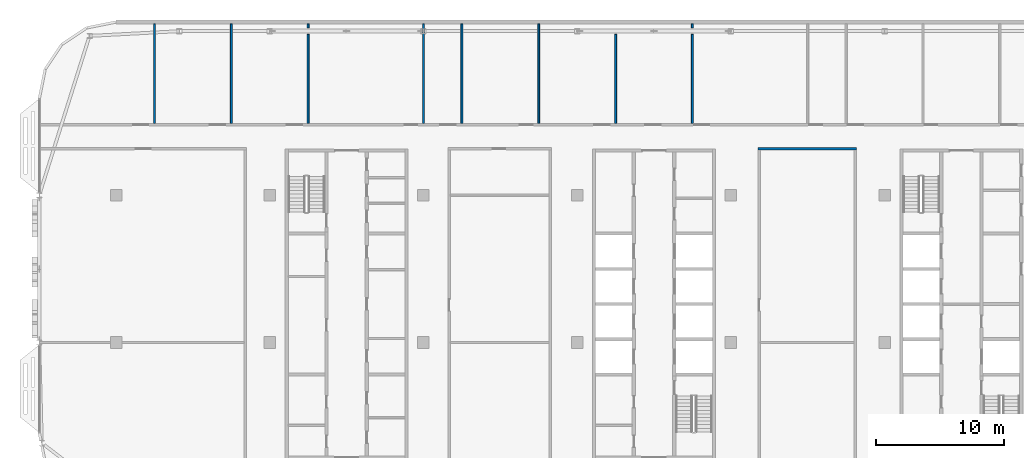
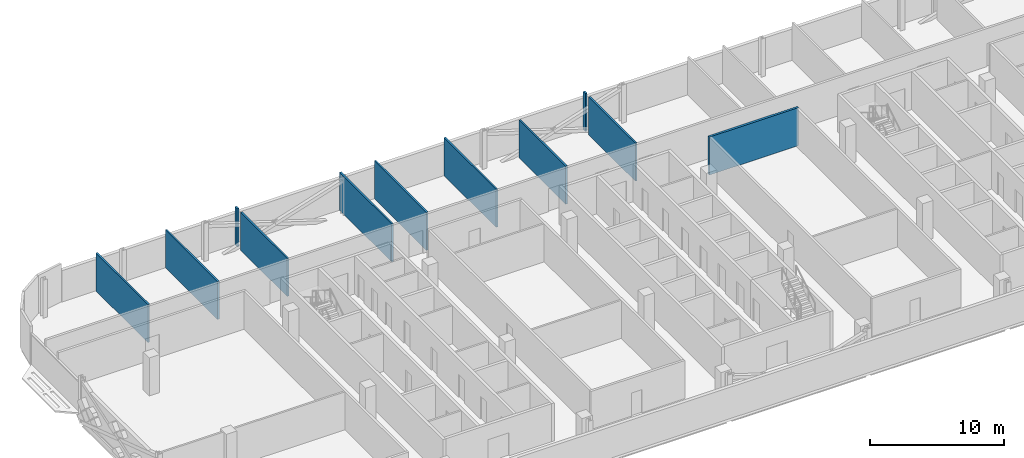
# One storey, part 17 of 29: 11 walls.
"""IFC4 building model written with IfcOpenShell, lengths in metres."""

from ifc_helpers import new_model, si_unit, direction, frame, frame_2d, origin, place, context, subcontext, project, spatial, rectangle, extrude, material, layer, layer_set, type_object, element, save


model = new_model("IFC4")

# Units and contexts
model_context = context("Model", 3, precision=1e-05, world=origin(), true_north=direction((0.0, 1.0)))
body_context = subcontext(model_context, "Body", "Model", "MODEL_VIEW")
ifc_project = project(units=[si_unit("LENGTHUNIT", "METRE"), si_unit("AREAUNIT", "SQUARE_METRE"), si_unit("VOLUMEUNIT", "CUBIC_METRE"), si_unit("PLANEANGLEUNIT", "RADIAN"), si_unit("MASSUNIT", "GRAM", prefix="KILO")], contexts=[model_context])

# Site, building, storey
site_placement = place(None, origin())
site = spatial("IfcSite", under=ifc_project, at=site_placement, CompositionType="ELEMENT")
building_placement = place(site_placement, origin())
building = spatial("IfcBuilding", under=site, at=building_placement, Name="Mahtab Terrace Research Tower", CompositionType="ELEMENT")
storey_placement = place(building_placement, frame((0.0, 0.0, 274.699951171875)))
storey = spatial("IfcBuildingStorey", under=building, at=storey_placement, Name="L67", CompositionType="ELEMENT", Elevation=274.699951171875)

# Walls
ifc_material_1 = material(Name="Gypsum board corridor wall on steel studs", Category="steel")
ifc_layer_1 = layer(ifc_material_1, 0.199951171875)
ifc_layer_set_1 = layer_set([ifc_layer_1], Name="WALL CORRIDOR 200")
wall_type_1 = type_object("IfcWallType", Name="WALL CORRIDOR 200", PredefinedType="PARTITIONING", material=ifc_layer_set_1)
wall_1_placement = place(storey_placement, frame((8.10009765625, 15.125, 0.0), z_axis=(0.0, 0.0, 1.0), x_axis=(1.0, 0.0, 0.0)))
element("IfcWall", 1, at=wall_1_placement, inside=storey, type_object=wall_type_1, Name="L67-W016", PredefinedType="PARTITIONING", context=body_context, shape_type="SweptSolid", body=[
    extrude(rectangle(XDim=7.699951171875, YDim=0.199951171875, at=frame_2d((3.85009765625, 0.0))), origin(), (0.0, 0.0, 1.0), 3.4599609375),
])
ifc_material_2 = material(Name="Gypsum board partition on steel studs", Category="steel")
ifc_layer_2 = layer(ifc_material_2, 0.14990234375)
ifc_layer_set_2 = layer_set([ifc_layer_2], Name="WALL PARTITION 150")
wall_type_2 = type_object("IfcWallType", Name="WALL PARTITION 150", PredefinedType="PARTITIONING", material=ifc_layer_set_2)
for number, where, z_axis, x_axis, name in (
    (2, (-39.0, 17.10009765625, 0.0), (0.0, 0.0, 1.0), (0.0, 1.0, 0.0), "L67-W019"),
    (3, (-33.0, 17.10009765625, 0.0), (0.0, 0.0, 1.0), (0.0, 1.0, 0.0), "L67-W020"),
):
    element("IfcWall", number, at=place(storey_placement, frame(where, z_axis=z_axis, x_axis=x_axis)), inside=storey, type_object=wall_type_2, Name=name, PredefinedType="PARTITIONING", context=body_context, shape_type="SweptSolid", body=[
        extrude(rectangle(XDim=7.77880859375, YDim=0.14990234375, at=frame_2d((3.889404296875, 0.0))), origin(), (0.0, 0.0, 1.0), 3.4599609375),
    ])
wall_2_placement = place(storey_placement, frame((-27.0, 17.10009765625, 0.0), z_axis=(0.0, 0.0, 1.0), x_axis=(0.0, 1.0, 0.0)))
element("IfcWall", 4, at=wall_2_placement, inside=storey, type_object=wall_type_2, Name="L67-W022", PredefinedType="PARTITIONING", context=body_context, shape_type="SweptSolid", body=[
    extrude(rectangle(XDim=6.95458984375, YDim=0.14990234375, at=frame_2d((3.477294921875, 0.0))), origin(), (0.0, 0.0, 1.0), 3.4599609375),
])
wall_3_placement = place(storey_placement, frame((-27.0, 24.559326171875, 0.0), z_axis=(0.0, 0.0, 1.0), x_axis=(0.0, 1.0, 0.0)))
element("IfcWall", 5, at=wall_3_placement, inside=storey, type_object=wall_type_2, Name="L67-W023", PredefinedType="PARTITIONING", context=body_context, shape_type="SweptSolid", body=[
    extrude(rectangle(XDim=0.319580078125, YDim=0.14990234375, at=frame_2d((0.15966796875, 0.0))), origin(), (0.0, 0.0, 1.0), 3.4599609375),
])
for number, where, z_axis, x_axis, name in (
    (6, (-18.0, 17.10009765625, 0.0), (0.0, 0.0, 1.0), (0.0, 1.0, 0.0), "L67-W024"),
    (7, (-15.0, 17.10009765625, 0.0), (0.0, 0.0, 1.0), (0.0, 1.0, 0.0), "L67-W026"),
    (8, (-9.0, 17.10009765625, 0.0), (0.0, 0.0, 1.0), (0.0, 1.0, 0.0), "L67-W027"),
):
    element("IfcWall", number, at=place(storey_placement, frame(where, z_axis=z_axis, x_axis=x_axis)), inside=storey, type_object=wall_type_2, Name=name, PredefinedType="PARTITIONING", context=body_context, shape_type="SweptSolid", body=[
        extrude(rectangle(XDim=7.77880859375, YDim=0.14990234375, at=frame_2d((3.889404296875, 0.0))), origin(), (0.0, 0.0, 1.0), 3.4599609375),
    ])
for number, where, z_axis, x_axis, name in (
    (9, (-3.0, 17.10009765625, 0.0), (0.0, 0.0, 1.0), (0.0, 1.0, 0.0), "L67-W029"),
    (10, (3.0, 17.10009765625, 0.0), (0.0, 0.0, 1.0), (0.0, 1.0, 0.0), "L67-W030"),
):
    element("IfcWall", number, at=place(storey_placement, frame(where, z_axis=z_axis, x_axis=x_axis)), inside=storey, type_object=wall_type_2, Name=name, PredefinedType="PARTITIONING", context=body_context, shape_type="SweptSolid", body=[
        extrude(rectangle(XDim=6.95458984375, YDim=0.14990234375, at=frame_2d((3.477294921875, 0.0))), origin(), (0.0, 0.0, 1.0), 3.4599609375),
    ])
wall_4_placement = place(storey_placement, frame((3.0, 24.559326171875, 0.0), z_axis=(0.0, 0.0, 1.0), x_axis=(0.0, 1.0, 0.0)))
element("IfcWall", 11, at=wall_4_placement, inside=storey, type_object=wall_type_2, Name="L67-W031", PredefinedType="PARTITIONING", context=body_context, shape_type="SweptSolid", body=[
    extrude(rectangle(XDim=0.319580078125, YDim=0.14990234375, at=frame_2d((0.15966796875, 0.0))), origin(), (0.0, 0.0, 1.0), 3.4599609375),
])

save(model, "model.ifc")
